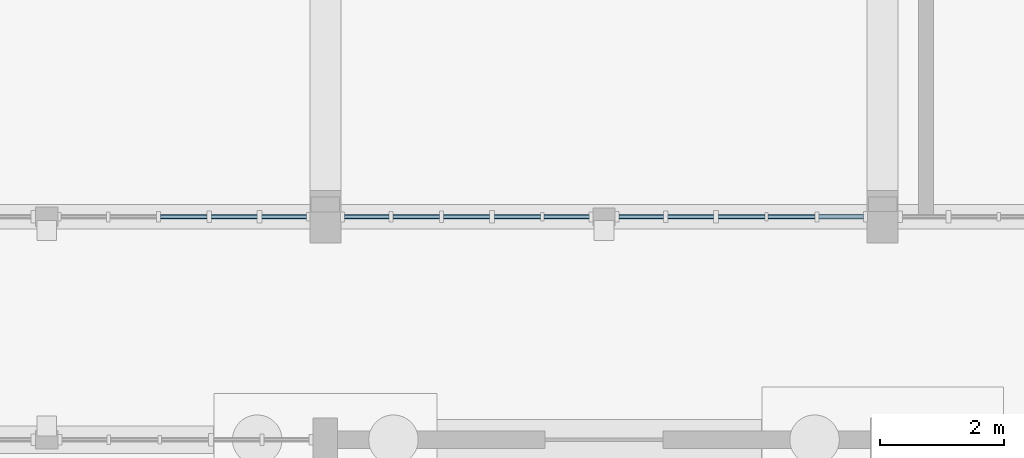
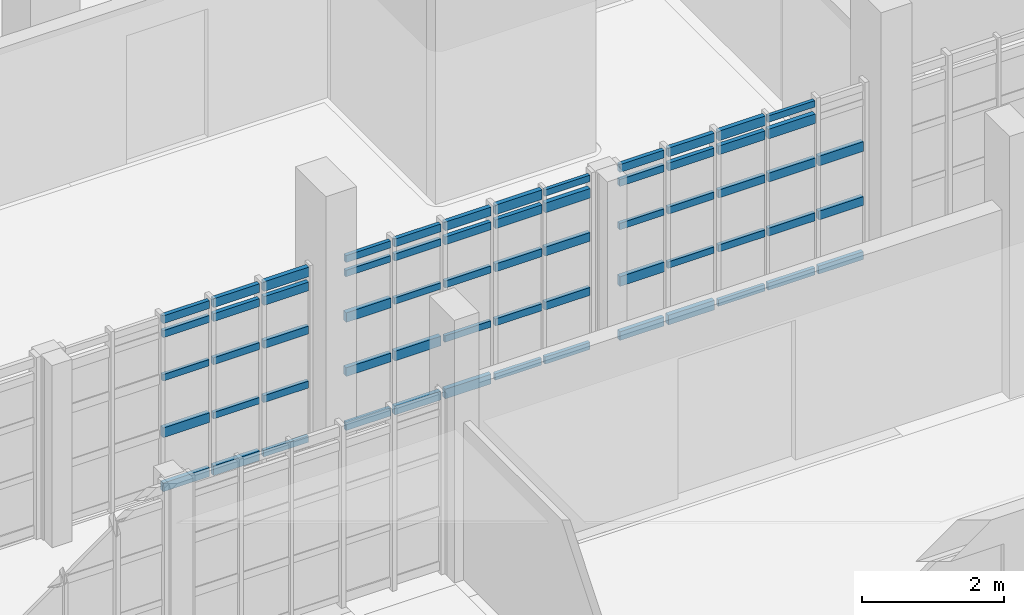
# One storey, part 23 of 63: 63 members, 3 elements without a shape of their own.
"""IFC4 building model written with IfcOpenShell, lengths in metres."""

from ifc_helpers import new_model, si_unit, direction, frame, origin, origin_2d, place, context, subcontext, project, spatial, rectangle, extrude, material, material_profile, profile_set, type_object, element, aggregate, save


model = new_model("IFC4")

# Units and contexts
model_context = context("Model", 3, precision=1e-05, world=origin(), true_north=direction((0.0, 1.0)))
body_context = subcontext(model_context, "Body", "Model", "MODEL_VIEW")
ifc_project = project(units=[si_unit("LENGTHUNIT", "METRE"), si_unit("AREAUNIT", "SQUARE_METRE"), si_unit("VOLUMEUNIT", "CUBIC_METRE"), si_unit("PLANEANGLEUNIT", "RADIAN"), si_unit("MASSUNIT", "GRAM", prefix="KILO")], contexts=[model_context])

# Site, building, storey
site_placement = place(None, origin())
site = spatial("IfcSite", under=ifc_project, at=site_placement, CompositionType="ELEMENT")
building_placement = place(site_placement, origin())
building = spatial("IfcBuilding", under=site, at=building_placement, Name="Serraforn Aerial Cableway Station", CompositionType="ELEMENT")
storey_placement = place(building_placement, origin())
storey = spatial("IfcBuildingStorey", under=building, at=storey_placement, Name="L00", CompositionType="ELEMENT", Elevation=0.0)

# Curtain wall, members
ifc_material_1 = material(Name="Anodised bronze unitised curtain wall")
curtain_wall_type_1 = type_object("IfcCurtainWallType", Name="CW-SYS-4", PredefinedType="USERDEFINED", material=ifc_material_1)
curtain_wall_1_placement = place(storey_placement, origin())
curtain_wall_1 = element("IfcCurtainWall", 1, at=curtain_wall_1_placement, inside=storey, type_object=curtain_wall_type_1, Name="Unitised Curtain Wall CW-CV-L00-S3B", ObjectType="UNITISED CURTAIN WALL", PredefinedType="USERDEFINED")
ifc_material_2 = material(Name="Anodised bronze extruded aluminium", Category="aluminium")
ifc_material_profile_1 = material_profile(ifc_material_2, rectangle(XDim=0.054931640625, YDim=0.110107421875, at=origin_2d()), Name="CW TRANSOM 55x110")
ifc_profile_set_1 = profile_set([ifc_material_profile_1], Name="Anodised bronze extruded aluminium")
member_type_1 = type_object("IfcMemberType", Name="CW-TRN-1", PredefinedType="USERDEFINED", material=ifc_profile_set_1)
member_1_placement = place(storey_placement, frame((51.939208984375, 18.0, 1.996826171875), z_axis=(1.0, 0.0, 0.0), x_axis=(0.0, 1.0, 0.0)))
member_1 = element("IfcMember", 2, at=member_1_placement, type_object=member_type_1, Name="Curtain Wall Transom CW-CV-L00-S3B-T3-3", ObjectType="TRANSOM", PredefinedType="USERDEFINED", context=body_context, shape_type="SweptSolid", body=[
    extrude(rectangle(XDim=0.054931640625, YDim=0.110107421875, at=origin_2d()), origin(), (0.0, 0.0, 1.0), 0.7509765625),
])
member_2_placement = place(storey_placement, frame((52.756103515625, 18.0, 1.060791015625), z_axis=(1.0, 0.0, 0.0), x_axis=(0.0, 1.0, 0.0)))
member_2 = element("IfcMember", 3, at=member_2_placement, type_object=member_type_1, Name="Curtain Wall Transom CW-CV-L00-S3B-T4-2", ObjectType="TRANSOM", PredefinedType="USERDEFINED", context=body_context, shape_type="SweptSolid", body=[
    extrude(rectangle(XDim=0.054931640625, YDim=0.110107421875, at=origin_2d()), origin(), (0.0, 0.0, 1.0), 0.74609375),
])
member_3_placement = place(storey_placement, frame((53.572998046875, 18.0, 0.124755859375), z_axis=(1.0, 0.0, 0.0), x_axis=(0.0, 1.0, 0.0)))
member_3 = element("IfcMember", 4, at=member_3_placement, type_object=member_type_1, Name="Curtain Wall Transom CW-CV-L00-S3B-T5-1", ObjectType="TRANSOM", PredefinedType="USERDEFINED", context=body_context, shape_type="SweptSolid", body=[
    extrude(rectangle(XDim=0.054931640625, YDim=0.110107421875, at=origin_2d()), origin(), (0.0, 0.0, 1.0), 0.72607421875),
])

curtain_wall_type_2 = type_object("IfcCurtainWallType", Name="CW-SYS-5", PredefinedType="USERDEFINED", material=ifc_material_1)
curtain_wall_2_placement = place(storey_placement, origin())
curtain_wall_2 = element("IfcCurtainWall", 5, at=curtain_wall_2_placement, inside=storey, type_object=curtain_wall_type_2, Name="Unitised Curtain Wall CW-CV-L00-S4A", ObjectType="UNITISED CURTAIN WALL", PredefinedType="USERDEFINED")
member_4_placement = place(storey_placement, frame((54.906005859375, 18.0, 2.74560546875), z_axis=(1.0, 0.0, 0.0), x_axis=(0.0, 1.0, 0.0)))
member_4 = element("IfcMember", 6, at=member_4_placement, type_object=member_type_1, Name="Curtain Wall Transom CW-CV-L00-S4A-T1-4", ObjectType="TRANSOM", PredefinedType="USERDEFINED", context=body_context, shape_type="SweptSolid", body=[
    extrude(rectangle(XDim=0.054931640625, YDim=0.110107421875, at=origin_2d()), origin(), (0.0, 0.0, 1.0), 0.725830078125),
])
member_5_placement = place(storey_placement, frame((55.69287109375, 18.0, 1.996826171875), z_axis=(1.0, 0.0, 0.0), x_axis=(0.0, 1.0, 0.0)))
member_5 = element("IfcMember", 7, at=member_5_placement, type_object=member_type_1, Name="Curtain Wall Transom CW-CV-L00-S4A-T2-3", ObjectType="TRANSOM", PredefinedType="USERDEFINED", context=body_context, shape_type="SweptSolid", body=[
    extrude(rectangle(XDim=0.054931640625, YDim=0.110107421875, at=origin_2d()), origin(), (0.0, 0.0, 1.0), 0.7509765625),
])
member_6_placement = place(storey_placement, frame((56.509765625, 18.0, 1.060791015625), z_axis=(1.0, 0.0, 0.0), x_axis=(0.0, 1.0, 0.0)))
member_6 = element("IfcMember", 8, at=member_6_placement, type_object=member_type_1, Name="Curtain Wall Transom CW-CV-L00-S4A-T3-2", ObjectType="TRANSOM", PredefinedType="USERDEFINED", context=body_context, shape_type="SweptSolid", body=[
    extrude(rectangle(XDim=0.054931640625, YDim=0.110107421875, at=origin_2d()), origin(), (0.0, 0.0, 1.0), 0.745849609375),
])
member_7_placement = place(storey_placement, frame((57.32666015625, 18.0, 0.124755859375), z_axis=(1.0, 0.0, 0.0), x_axis=(0.0, 1.0, 0.0)))
member_7 = element("IfcMember", 9, at=member_7_placement, type_object=member_type_1, Name="Curtain Wall Transom CW-CV-L00-S4A-T4-1", ObjectType="TRANSOM", PredefinedType="USERDEFINED", context=body_context, shape_type="SweptSolid", body=[
    extrude(rectangle(XDim=0.054931640625, YDim=0.110107421875, at=origin_2d()), origin(), (0.0, 0.0, 1.0), 0.75341796875),
])
member_8_placement = place(storey_placement, frame((58.131103515625, 18.0, 2.9951171875), z_axis=(1.0, 0.0, 0.0), x_axis=(0.0, 1.0, 0.0)))
member_8 = element("IfcMember", 10, at=member_8_placement, type_object=member_type_1, Name="Curtain Wall Transom CW-CV-L00-S4A-T5-5", ObjectType="TRANSOM", PredefinedType="USERDEFINED", context=body_context, shape_type="SweptSolid", body=[
    extrude(rectangle(XDim=0.054931640625, YDim=0.110107421875, at=origin_2d()), origin(), (0.0, 0.0, 1.0), 0.73095703125),
])

curtain_wall_type_3 = type_object("IfcCurtainWallType", Name="CW-SYS-6", PredefinedType="USERDEFINED", material=ifc_material_1)
curtain_wall_3_placement = place(storey_placement, origin())
curtain_wall_3 = element("IfcCurtainWall", 11, at=curtain_wall_3_placement, inside=storey, type_object=curtain_wall_type_3, Name="Unitised Curtain Wall CW-CV-L00-S4B", ObjectType="UNITISED CURTAIN WALL", PredefinedType="USERDEFINED")
member_9_placement = place(storey_placement, frame((59.343017578125, 18.0, 1.996826171875), z_axis=(1.0, 0.0, 0.0), x_axis=(0.0, 1.0, 0.0)))
member_9 = element("IfcMember", 12, at=member_9_placement, type_object=member_type_1, Name="Curtain Wall Transom CW-CV-L00-S4B-T1-3", ObjectType="TRANSOM", PredefinedType="USERDEFINED", context=body_context, shape_type="SweptSolid", body=[
    extrude(rectangle(XDim=0.054931640625, YDim=0.110107421875, at=origin_2d()), origin(), (0.0, 0.0, 1.0), 0.71826171875),
])
member_10_placement = place(storey_placement, frame((60.12744140625, 18.0, 1.060791015625), z_axis=(1.0, 0.0, 0.0), x_axis=(0.0, 1.0, 0.0)))
member_10 = element("IfcMember", 13, at=member_10_placement, type_object=member_type_1, Name="Curtain Wall Transom CW-CV-L00-S4B-T2-2", ObjectType="TRANSOM", PredefinedType="USERDEFINED", context=body_context, shape_type="SweptSolid", body=[
    extrude(rectangle(XDim=0.054931640625, YDim=0.110107421875, at=origin_2d()), origin(), (0.0, 0.0, 1.0), 0.745849609375),
])
member_11_placement = place(storey_placement, frame((60.9443359375, 18.0, 0.124755859375), z_axis=(1.0, 0.0, 0.0), x_axis=(0.0, 1.0, 0.0)))
member_11 = element("IfcMember", 14, at=member_11_placement, type_object=member_type_1, Name="Curtain Wall Transom CW-CV-L00-S4B-T3-1", ObjectType="TRANSOM", PredefinedType="USERDEFINED", context=body_context, shape_type="SweptSolid", body=[
    extrude(rectangle(XDim=0.054931640625, YDim=0.110107421875, at=origin_2d()), origin(), (0.0, 0.0, 1.0), 0.75341796875),
])
member_12_placement = place(storey_placement, frame((61.748779296875, 18.0, 2.9951171875), z_axis=(1.0, 0.0, 0.0), x_axis=(0.0, 1.0, 0.0)))
member_12 = element("IfcMember", 15, at=member_12_placement, type_object=member_type_1, Name="Curtain Wall Transom CW-CV-L00-S4B-T4-5", ObjectType="TRANSOM", PredefinedType="USERDEFINED", context=body_context, shape_type="SweptSolid", body=[
    extrude(rectangle(XDim=0.054931640625, YDim=0.110107421875, at=origin_2d()), origin(), (0.0, 0.0, 1.0), 0.7607421875),
])

# Member
ifc_material_profile_2 = material_profile(ifc_material_2, rectangle(XDim=0.06005859375, YDim=0.1201171875, at=origin_2d()), Name="CW TRANSOM 60x120")
ifc_profile_set_2 = profile_set([ifc_material_profile_2], Name="Anodised bronze extruded aluminium")
member_type_2 = type_object("IfcMemberType", Name="CW-TRN-2", PredefinedType="USERDEFINED", material=ifc_profile_set_2)
member_13_placement = place(storey_placement, frame((51.939208984375, 18.0, 2.74560546875), z_axis=(1.0, 0.0, 0.0), x_axis=(0.0, 1.0, 0.0)))
member_13 = element("IfcMember", 16, at=member_13_placement, type_object=member_type_2, Name="Curtain Wall Transom CW-CV-L00-S3B-T3-4", ObjectType="TRANSOM", PredefinedType="USERDEFINED", context=body_context, shape_type="SweptSolid", body=[
    extrude(rectangle(XDim=0.06005859375, YDim=0.1201171875, at=origin_2d()), origin(), (0.0, 0.0, 1.0), 0.7509765625),
])

member_14_placement = place(storey_placement, frame((52.756103515625, 18.0, 1.996826171875), z_axis=(1.0, 0.0, 0.0), x_axis=(0.0, 1.0, 0.0)))
member_14 = element("IfcMember", 17, at=member_14_placement, type_object=member_type_2, Name="Curtain Wall Transom CW-CV-L00-S3B-T4-3", ObjectType="TRANSOM", PredefinedType="USERDEFINED", context=body_context, shape_type="SweptSolid", body=[
    extrude(rectangle(XDim=0.06005859375, YDim=0.1201171875, at=origin_2d()), origin(), (0.0, 0.0, 1.0), 0.74609375),
])

member_15_placement = place(storey_placement, frame((53.572998046875, 18.0, 1.060791015625), z_axis=(1.0, 0.0, 0.0), x_axis=(0.0, 1.0, 0.0)))
member_15 = element("IfcMember", 18, at=member_15_placement, type_object=member_type_2, Name="Curtain Wall Transom CW-CV-L00-S3B-T5-2", ObjectType="TRANSOM", PredefinedType="USERDEFINED", context=body_context, shape_type="SweptSolid", body=[
    extrude(rectangle(XDim=0.06005859375, YDim=0.1201171875, at=origin_2d()), origin(), (0.0, 0.0, 1.0), 0.72607421875),
])

member_16_placement = place(storey_placement, frame((54.906005859375, 18.0, 2.9951171875), z_axis=(1.0, 0.0, 0.0), x_axis=(0.0, 1.0, 0.0)))
member_16 = element("IfcMember", 19, at=member_16_placement, type_object=member_type_2, Name="Curtain Wall Transom CW-CV-L00-S4A-T1-5", ObjectType="TRANSOM", PredefinedType="USERDEFINED", context=body_context, shape_type="SweptSolid", body=[
    extrude(rectangle(XDim=0.06005859375, YDim=0.1201171875, at=origin_2d()), origin(), (0.0, 0.0, 1.0), 0.725830078125),
])

member_17_placement = place(storey_placement, frame((55.69287109375, 18.0, 2.74560546875), z_axis=(1.0, 0.0, 0.0), x_axis=(0.0, 1.0, 0.0)))
member_17 = element("IfcMember", 20, at=member_17_placement, type_object=member_type_2, Name="Curtain Wall Transom CW-CV-L00-S4A-T2-4", ObjectType="TRANSOM", PredefinedType="USERDEFINED", context=body_context, shape_type="SweptSolid", body=[
    extrude(rectangle(XDim=0.06005859375, YDim=0.1201171875, at=origin_2d()), origin(), (0.0, 0.0, 1.0), 0.7509765625),
])

member_18_placement = place(storey_placement, frame((56.509765625, 18.0, 1.996826171875), z_axis=(1.0, 0.0, 0.0), x_axis=(0.0, 1.0, 0.0)))
member_18 = element("IfcMember", 21, at=member_18_placement, type_object=member_type_2, Name="Curtain Wall Transom CW-CV-L00-S4A-T3-3", ObjectType="TRANSOM", PredefinedType="USERDEFINED", context=body_context, shape_type="SweptSolid", body=[
    extrude(rectangle(XDim=0.06005859375, YDim=0.1201171875, at=origin_2d()), origin(), (0.0, 0.0, 1.0), 0.745849609375),
])

member_19_placement = place(storey_placement, frame((57.32666015625, 18.0, 1.060791015625), z_axis=(1.0, 0.0, 0.0), x_axis=(0.0, 1.0, 0.0)))
member_19 = element("IfcMember", 22, at=member_19_placement, type_object=member_type_2, Name="Curtain Wall Transom CW-CV-L00-S4A-T4-2", ObjectType="TRANSOM", PredefinedType="USERDEFINED", context=body_context, shape_type="SweptSolid", body=[
    extrude(rectangle(XDim=0.06005859375, YDim=0.1201171875, at=origin_2d()), origin(), (0.0, 0.0, 1.0), 0.75341796875),
])

member_20_placement = place(storey_placement, frame((58.131103515625, 18.0, 0.124755859375), z_axis=(1.0, 0.0, 0.0), x_axis=(0.0, 1.0, 0.0)))
member_20 = element("IfcMember", 23, at=member_20_placement, type_object=member_type_2, Name="Curtain Wall Transom CW-CV-L00-S4A-T5-1", ObjectType="TRANSOM", PredefinedType="USERDEFINED", context=body_context, shape_type="SweptSolid", body=[
    extrude(rectangle(XDim=0.06005859375, YDim=0.1201171875, at=origin_2d()), origin(), (0.0, 0.0, 1.0), 0.73095703125),
])

member_21_placement = place(storey_placement, frame((59.343017578125, 18.0, 2.74560546875), z_axis=(1.0, 0.0, 0.0), x_axis=(0.0, 1.0, 0.0)))
member_21 = element("IfcMember", 24, at=member_21_placement, type_object=member_type_2, Name="Curtain Wall Transom CW-CV-L00-S4B-T1-4", ObjectType="TRANSOM", PredefinedType="USERDEFINED", context=body_context, shape_type="SweptSolid", body=[
    extrude(rectangle(XDim=0.06005859375, YDim=0.1201171875, at=origin_2d()), origin(), (0.0, 0.0, 1.0), 0.71826171875),
])

member_22_placement = place(storey_placement, frame((60.12744140625, 18.0, 1.996826171875), z_axis=(1.0, 0.0, 0.0), x_axis=(0.0, 1.0, 0.0)))
member_22 = element("IfcMember", 25, at=member_22_placement, type_object=member_type_2, Name="Curtain Wall Transom CW-CV-L00-S4B-T2-3", ObjectType="TRANSOM", PredefinedType="USERDEFINED", context=body_context, shape_type="SweptSolid", body=[
    extrude(rectangle(XDim=0.06005859375, YDim=0.1201171875, at=origin_2d()), origin(), (0.0, 0.0, 1.0), 0.745849609375),
])

member_23_placement = place(storey_placement, frame((60.9443359375, 18.0, 1.060791015625), z_axis=(1.0, 0.0, 0.0), x_axis=(0.0, 1.0, 0.0)))
member_23 = element("IfcMember", 26, at=member_23_placement, type_object=member_type_2, Name="Curtain Wall Transom CW-CV-L00-S4B-T3-2", ObjectType="TRANSOM", PredefinedType="USERDEFINED", context=body_context, shape_type="SweptSolid", body=[
    extrude(rectangle(XDim=0.06005859375, YDim=0.1201171875, at=origin_2d()), origin(), (0.0, 0.0, 1.0), 0.75341796875),
])

member_24_placement = place(storey_placement, frame((61.748779296875, 18.0, 0.124755859375), z_axis=(1.0, 0.0, 0.0), x_axis=(0.0, 1.0, 0.0)))
member_24 = element("IfcMember", 27, at=member_24_placement, type_object=member_type_2, Name="Curtain Wall Transom CW-CV-L00-S4B-T4-1", ObjectType="TRANSOM", PredefinedType="USERDEFINED", context=body_context, shape_type="SweptSolid", body=[
    extrude(rectangle(XDim=0.06005859375, YDim=0.1201171875, at=origin_2d()), origin(), (0.0, 0.0, 1.0), 0.7607421875),
])

ifc_material_profile_3 = material_profile(ifc_material_2, rectangle(XDim=0.06494140625, YDim=0.135009765625, at=origin_2d()), Name="CW TRANSOM 65x135")
ifc_profile_set_3 = profile_set([ifc_material_profile_3], Name="Anodised bronze extruded aluminium")
member_type_3 = type_object("IfcMemberType", Name="CW-TRN-3", PredefinedType="USERDEFINED", material=ifc_profile_set_3)
member_25_placement = place(storey_placement, frame((51.939208984375, 18.0, 2.9951171875), z_axis=(1.0, 0.0, 0.0), x_axis=(0.0, 1.0, 0.0)))
member_25 = element("IfcMember", 28, at=member_25_placement, type_object=member_type_3, Name="Curtain Wall Transom CW-CV-L00-S3B-T3-5", ObjectType="TRANSOM", PredefinedType="USERDEFINED", context=body_context, shape_type="SweptSolid", body=[
    extrude(rectangle(XDim=0.06494140625, YDim=0.135009765625, at=origin_2d()), origin(), (0.0, 0.0, 1.0), 0.7509765625),
])

member_26_placement = place(storey_placement, frame((52.756103515625, 18.0, 2.74560546875), z_axis=(1.0, 0.0, 0.0), x_axis=(0.0, 1.0, 0.0)))
member_26 = element("IfcMember", 29, at=member_26_placement, type_object=member_type_3, Name="Curtain Wall Transom CW-CV-L00-S3B-T4-4", ObjectType="TRANSOM", PredefinedType="USERDEFINED", context=body_context, shape_type="SweptSolid", body=[
    extrude(rectangle(XDim=0.06494140625, YDim=0.135009765625, at=origin_2d()), origin(), (0.0, 0.0, 1.0), 0.74609375),
])

member_27_placement = place(storey_placement, frame((53.572998046875, 18.0, 1.996826171875), z_axis=(1.0, 0.0, 0.0), x_axis=(0.0, 1.0, 0.0)))
member_27 = element("IfcMember", 30, at=member_27_placement, type_object=member_type_3, Name="Curtain Wall Transom CW-CV-L00-S3B-T5-3", ObjectType="TRANSOM", PredefinedType="USERDEFINED", context=body_context, shape_type="SweptSolid", body=[
    extrude(rectangle(XDim=0.06494140625, YDim=0.135009765625, at=origin_2d()), origin(), (0.0, 0.0, 1.0), 0.72607421875),
])

member_28_placement = place(storey_placement, frame((54.906005859375, 18.0, 0.124755859375), z_axis=(1.0, 0.0, 0.0), x_axis=(0.0, 1.0, 0.0)))
member_28 = element("IfcMember", 31, at=member_28_placement, type_object=member_type_3, Name="Curtain Wall Transom CW-CV-L00-S4A-T1-1", ObjectType="TRANSOM", PredefinedType="USERDEFINED", context=body_context, shape_type="SweptSolid", body=[
    extrude(rectangle(XDim=0.06494140625, YDim=0.135009765625, at=origin_2d()), origin(), (0.0, 0.0, 1.0), 0.725830078125),
])

member_29_placement = place(storey_placement, frame((55.69287109375, 18.0, 2.9951171875), z_axis=(1.0, 0.0, 0.0), x_axis=(0.0, 1.0, 0.0)))
member_29 = element("IfcMember", 32, at=member_29_placement, type_object=member_type_3, Name="Curtain Wall Transom CW-CV-L00-S4A-T2-5", ObjectType="TRANSOM", PredefinedType="USERDEFINED", context=body_context, shape_type="SweptSolid", body=[
    extrude(rectangle(XDim=0.06494140625, YDim=0.135009765625, at=origin_2d()), origin(), (0.0, 0.0, 1.0), 0.7509765625),
])

member_30_placement = place(storey_placement, frame((56.509765625, 18.0, 2.74560546875), z_axis=(1.0, 0.0, 0.0), x_axis=(0.0, 1.0, 0.0)))
member_30 = element("IfcMember", 33, at=member_30_placement, type_object=member_type_3, Name="Curtain Wall Transom CW-CV-L00-S4A-T3-4", ObjectType="TRANSOM", PredefinedType="USERDEFINED", context=body_context, shape_type="SweptSolid", body=[
    extrude(rectangle(XDim=0.06494140625, YDim=0.135009765625, at=origin_2d()), origin(), (0.0, 0.0, 1.0), 0.745849609375),
])

member_31_placement = place(storey_placement, frame((57.32666015625, 18.0, 1.996826171875), z_axis=(1.0, 0.0, 0.0), x_axis=(0.0, 1.0, 0.0)))
member_31 = element("IfcMember", 34, at=member_31_placement, type_object=member_type_3, Name="Curtain Wall Transom CW-CV-L00-S4A-T4-3", ObjectType="TRANSOM", PredefinedType="USERDEFINED", context=body_context, shape_type="SweptSolid", body=[
    extrude(rectangle(XDim=0.06494140625, YDim=0.135009765625, at=origin_2d()), origin(), (0.0, 0.0, 1.0), 0.75341796875),
])

member_32_placement = place(storey_placement, frame((58.131103515625, 18.0, 1.060791015625), z_axis=(1.0, 0.0, 0.0), x_axis=(0.0, 1.0, 0.0)))
member_32 = element("IfcMember", 35, at=member_32_placement, type_object=member_type_3, Name="Curtain Wall Transom CW-CV-L00-S4A-T5-2", ObjectType="TRANSOM", PredefinedType="USERDEFINED", context=body_context, shape_type="SweptSolid", body=[
    extrude(rectangle(XDim=0.06494140625, YDim=0.135009765625, at=origin_2d()), origin(), (0.0, 0.0, 1.0), 0.73095703125),
])

member_33_placement = place(storey_placement, frame((59.343017578125, 18.0, 2.9951171875), z_axis=(1.0, 0.0, 0.0), x_axis=(0.0, 1.0, 0.0)))
member_33 = element("IfcMember", 36, at=member_33_placement, type_object=member_type_3, Name="Curtain Wall Transom CW-CV-L00-S4B-T1-5", ObjectType="TRANSOM", PredefinedType="USERDEFINED", context=body_context, shape_type="SweptSolid", body=[
    extrude(rectangle(XDim=0.06494140625, YDim=0.135009765625, at=origin_2d()), origin(), (0.0, 0.0, 1.0), 0.71826171875),
])

member_34_placement = place(storey_placement, frame((60.12744140625, 18.0, 2.74560546875), z_axis=(1.0, 0.0, 0.0), x_axis=(0.0, 1.0, 0.0)))
member_34 = element("IfcMember", 37, at=member_34_placement, type_object=member_type_3, Name="Curtain Wall Transom CW-CV-L00-S4B-T2-4", ObjectType="TRANSOM", PredefinedType="USERDEFINED", context=body_context, shape_type="SweptSolid", body=[
    extrude(rectangle(XDim=0.06494140625, YDim=0.135009765625, at=origin_2d()), origin(), (0.0, 0.0, 1.0), 0.745849609375),
])

member_35_placement = place(storey_placement, frame((60.9443359375, 18.0, 1.996826171875), z_axis=(1.0, 0.0, 0.0), x_axis=(0.0, 1.0, 0.0)))
member_35 = element("IfcMember", 38, at=member_35_placement, type_object=member_type_3, Name="Curtain Wall Transom CW-CV-L00-S4B-T3-3", ObjectType="TRANSOM", PredefinedType="USERDEFINED", context=body_context, shape_type="SweptSolid", body=[
    extrude(rectangle(XDim=0.06494140625, YDim=0.135009765625, at=origin_2d()), origin(), (0.0, 0.0, 1.0), 0.75341796875),
])

member_36_placement = place(storey_placement, frame((61.748779296875, 18.0, 1.060791015625), z_axis=(1.0, 0.0, 0.0), x_axis=(0.0, 1.0, 0.0)))
member_36 = element("IfcMember", 39, at=member_36_placement, type_object=member_type_3, Name="Curtain Wall Transom CW-CV-L00-S4B-T4-2", ObjectType="TRANSOM", PredefinedType="USERDEFINED", context=body_context, shape_type="SweptSolid", body=[
    extrude(rectangle(XDim=0.06494140625, YDim=0.135009765625, at=origin_2d()), origin(), (0.0, 0.0, 1.0), 0.7607421875),
])

member_37_placement = place(storey_placement, frame((62.565673828125, 18.0, 0.124755859375), z_axis=(1.0, 0.0, 0.0), x_axis=(0.0, 1.0, 0.0)))
member_37 = element("IfcMember", 40, at=member_37_placement, type_object=member_type_3, Name="Curtain Wall Transom CW-CV-L00-S4B-T5-1", ObjectType="TRANSOM", PredefinedType="USERDEFINED", context=body_context, shape_type="SweptSolid", body=[
    extrude(rectangle(XDim=0.06494140625, YDim=0.135009765625, at=origin_2d()), origin(), (0.0, 0.0, 1.0), 0.723388671875),
])

ifc_material_profile_4 = material_profile(ifc_material_2, rectangle(XDim=0.070068359375, YDim=0.14990234375, at=origin_2d()), Name="CW TRANSOM 70x150")
ifc_profile_set_4 = profile_set([ifc_material_profile_4], Name="Anodised bronze extruded aluminium")
member_type_4 = type_object("IfcMemberType", Name="CW-TRN-4", PredefinedType="USERDEFINED", material=ifc_profile_set_4)
member_38_placement = place(storey_placement, frame((51.939208984375, 18.0, 0.124755859375), z_axis=(1.0, 0.0, 0.0), x_axis=(0.0, 1.0, 0.0)))
member_38 = element("IfcMember", 41, at=member_38_placement, type_object=member_type_4, Name="Curtain Wall Transom CW-CV-L00-S3B-T3-1", ObjectType="TRANSOM", PredefinedType="USERDEFINED", context=body_context, shape_type="SweptSolid", body=[
    extrude(rectangle(XDim=0.070068359375, YDim=0.14990234375, at=origin_2d()), origin(), (0.0, 0.0, 1.0), 0.7509765625),
])

member_39_placement = place(storey_placement, frame((52.756103515625, 18.0, 2.9951171875), z_axis=(1.0, 0.0, 0.0), x_axis=(0.0, 1.0, 0.0)))
member_39 = element("IfcMember", 42, at=member_39_placement, type_object=member_type_4, Name="Curtain Wall Transom CW-CV-L00-S3B-T4-5", ObjectType="TRANSOM", PredefinedType="USERDEFINED", context=body_context, shape_type="SweptSolid", body=[
    extrude(rectangle(XDim=0.070068359375, YDim=0.14990234375, at=origin_2d()), origin(), (0.0, 0.0, 1.0), 0.74609375),
])

member_40_placement = place(storey_placement, frame((53.572998046875, 18.0, 2.74560546875), z_axis=(1.0, 0.0, 0.0), x_axis=(0.0, 1.0, 0.0)))
member_40 = element("IfcMember", 43, at=member_40_placement, type_object=member_type_4, Name="Curtain Wall Transom CW-CV-L00-S3B-T5-4", ObjectType="TRANSOM", PredefinedType="USERDEFINED", context=body_context, shape_type="SweptSolid", body=[
    extrude(rectangle(XDim=0.070068359375, YDim=0.14990234375, at=origin_2d()), origin(), (0.0, 0.0, 1.0), 0.72607421875),
])

member_41_placement = place(storey_placement, frame((54.906005859375, 18.0, 1.060791015625), z_axis=(1.0, 0.0, 0.0), x_axis=(0.0, 1.0, 0.0)))
member_41 = element("IfcMember", 44, at=member_41_placement, type_object=member_type_4, Name="Curtain Wall Transom CW-CV-L00-S4A-T1-2", ObjectType="TRANSOM", PredefinedType="USERDEFINED", context=body_context, shape_type="SweptSolid", body=[
    extrude(rectangle(XDim=0.070068359375, YDim=0.14990234375, at=origin_2d()), origin(), (0.0, 0.0, 1.0), 0.725830078125),
])

member_42_placement = place(storey_placement, frame((55.69287109375, 18.0, 0.124755859375), z_axis=(1.0, 0.0, 0.0), x_axis=(0.0, 1.0, 0.0)))
member_42 = element("IfcMember", 45, at=member_42_placement, type_object=member_type_4, Name="Curtain Wall Transom CW-CV-L00-S4A-T2-1", ObjectType="TRANSOM", PredefinedType="USERDEFINED", context=body_context, shape_type="SweptSolid", body=[
    extrude(rectangle(XDim=0.070068359375, YDim=0.14990234375, at=origin_2d()), origin(), (0.0, 0.0, 1.0), 0.7509765625),
])

member_43_placement = place(storey_placement, frame((56.509765625, 18.0, 2.9951171875), z_axis=(1.0, 0.0, 0.0), x_axis=(0.0, 1.0, 0.0)))
member_43 = element("IfcMember", 46, at=member_43_placement, type_object=member_type_4, Name="Curtain Wall Transom CW-CV-L00-S4A-T3-5", ObjectType="TRANSOM", PredefinedType="USERDEFINED", context=body_context, shape_type="SweptSolid", body=[
    extrude(rectangle(XDim=0.070068359375, YDim=0.14990234375, at=origin_2d()), origin(), (0.0, 0.0, 1.0), 0.745849609375),
])

member_44_placement = place(storey_placement, frame((57.32666015625, 18.0, 2.74560546875), z_axis=(1.0, 0.0, 0.0), x_axis=(0.0, 1.0, 0.0)))
member_44 = element("IfcMember", 47, at=member_44_placement, type_object=member_type_4, Name="Curtain Wall Transom CW-CV-L00-S4A-T4-4", ObjectType="TRANSOM", PredefinedType="USERDEFINED", context=body_context, shape_type="SweptSolid", body=[
    extrude(rectangle(XDim=0.070068359375, YDim=0.14990234375, at=origin_2d()), origin(), (0.0, 0.0, 1.0), 0.75341796875),
])

member_45_placement = place(storey_placement, frame((58.131103515625, 18.0, 1.996826171875), z_axis=(1.0, 0.0, 0.0), x_axis=(0.0, 1.0, 0.0)))
member_45 = element("IfcMember", 48, at=member_45_placement, type_object=member_type_4, Name="Curtain Wall Transom CW-CV-L00-S4A-T5-3", ObjectType="TRANSOM", PredefinedType="USERDEFINED", context=body_context, shape_type="SweptSolid", body=[
    extrude(rectangle(XDim=0.070068359375, YDim=0.14990234375, at=origin_2d()), origin(), (0.0, 0.0, 1.0), 0.73095703125),
])

member_46_placement = place(storey_placement, frame((59.343017578125, 18.0, 0.124755859375), z_axis=(1.0, 0.0, 0.0), x_axis=(0.0, 1.0, 0.0)))
member_46 = element("IfcMember", 49, at=member_46_placement, type_object=member_type_4, Name="Curtain Wall Transom CW-CV-L00-S4B-T1-1", ObjectType="TRANSOM", PredefinedType="USERDEFINED", context=body_context, shape_type="SweptSolid", body=[
    extrude(rectangle(XDim=0.070068359375, YDim=0.14990234375, at=origin_2d()), origin(), (0.0, 0.0, 1.0), 0.71826171875),
])

member_47_placement = place(storey_placement, frame((60.12744140625, 18.0, 2.9951171875), z_axis=(1.0, 0.0, 0.0), x_axis=(0.0, 1.0, 0.0)))
member_47 = element("IfcMember", 50, at=member_47_placement, type_object=member_type_4, Name="Curtain Wall Transom CW-CV-L00-S4B-T2-5", ObjectType="TRANSOM", PredefinedType="USERDEFINED", context=body_context, shape_type="SweptSolid", body=[
    extrude(rectangle(XDim=0.070068359375, YDim=0.14990234375, at=origin_2d()), origin(), (0.0, 0.0, 1.0), 0.745849609375),
])

member_48_placement = place(storey_placement, frame((60.9443359375, 18.0, 2.74560546875), z_axis=(1.0, 0.0, 0.0), x_axis=(0.0, 1.0, 0.0)))
member_48 = element("IfcMember", 51, at=member_48_placement, type_object=member_type_4, Name="Curtain Wall Transom CW-CV-L00-S4B-T3-4", ObjectType="TRANSOM", PredefinedType="USERDEFINED", context=body_context, shape_type="SweptSolid", body=[
    extrude(rectangle(XDim=0.070068359375, YDim=0.14990234375, at=origin_2d()), origin(), (0.0, 0.0, 1.0), 0.75341796875),
])

member_49_placement = place(storey_placement, frame((61.748779296875, 18.0, 1.996826171875), z_axis=(1.0, 0.0, 0.0), x_axis=(0.0, 1.0, 0.0)))
member_49 = element("IfcMember", 52, at=member_49_placement, type_object=member_type_4, Name="Curtain Wall Transom CW-CV-L00-S4B-T4-3", ObjectType="TRANSOM", PredefinedType="USERDEFINED", context=body_context, shape_type="SweptSolid", body=[
    extrude(rectangle(XDim=0.070068359375, YDim=0.14990234375, at=origin_2d()), origin(), (0.0, 0.0, 1.0), 0.7607421875),
])

member_50_placement = place(storey_placement, frame((62.565673828125, 18.0, 1.060791015625), z_axis=(1.0, 0.0, 0.0), x_axis=(0.0, 1.0, 0.0)))
member_50 = element("IfcMember", 53, at=member_50_placement, type_object=member_type_4, Name="Curtain Wall Transom CW-CV-L00-S4B-T5-2", ObjectType="TRANSOM", PredefinedType="USERDEFINED", context=body_context, shape_type="SweptSolid", body=[
    extrude(rectangle(XDim=0.070068359375, YDim=0.14990234375, at=origin_2d()), origin(), (0.0, 0.0, 1.0), 0.723388671875),
])

ifc_material_profile_5 = material_profile(ifc_material_2, rectangle(XDim=0.074951171875, YDim=0.1650390625, at=origin_2d()), Name="CW TRANSOM 75x165")
ifc_profile_set_5 = profile_set([ifc_material_profile_5], Name="Anodised bronze extruded aluminium")
member_type_5 = type_object("IfcMemberType", Name="CW-TRN-5", PredefinedType="USERDEFINED", material=ifc_profile_set_5)
member_51_placement = place(storey_placement, frame((51.939208984375, 18.0, 1.060791015625), z_axis=(1.0, 0.0, 0.0), x_axis=(0.0, 1.0, 0.0)))
member_51 = element("IfcMember", 54, at=member_51_placement, type_object=member_type_5, Name="Curtain Wall Transom CW-CV-L00-S3B-T3-2", ObjectType="TRANSOM", PredefinedType="USERDEFINED", context=body_context, shape_type="SweptSolid", body=[
    extrude(rectangle(XDim=0.074951171875, YDim=0.1650390625, at=origin_2d()), origin(), (0.0, 0.0, 1.0), 0.7509765625),
])

member_52_placement = place(storey_placement, frame((52.756103515625, 18.0, 0.124755859375), z_axis=(1.0, 0.0, 0.0), x_axis=(0.0, 1.0, 0.0)))
member_52 = element("IfcMember", 55, at=member_52_placement, type_object=member_type_5, Name="Curtain Wall Transom CW-CV-L00-S3B-T4-1", ObjectType="TRANSOM", PredefinedType="USERDEFINED", context=body_context, shape_type="SweptSolid", body=[
    extrude(rectangle(XDim=0.074951171875, YDim=0.1650390625, at=origin_2d()), origin(), (0.0, 0.0, 1.0), 0.74609375),
])

member_53_placement = place(storey_placement, frame((53.572998046875, 18.0, 2.9951171875), z_axis=(1.0, 0.0, 0.0), x_axis=(0.0, 1.0, 0.0)))
member_53 = element("IfcMember", 56, at=member_53_placement, type_object=member_type_5, Name="Curtain Wall Transom CW-CV-L00-S3B-T5-5", ObjectType="TRANSOM", PredefinedType="USERDEFINED", context=body_context, shape_type="SweptSolid", body=[
    extrude(rectangle(XDim=0.074951171875, YDim=0.1650390625, at=origin_2d()), origin(), (0.0, 0.0, 1.0), 0.72607421875),
])

aggregate(curtain_wall_1, [member_38, member_51, member_1, member_13, member_25, member_52, member_2, member_14, member_26, member_39, member_3, member_15, member_27, member_40, member_53])

member_54_placement = place(storey_placement, frame((54.906005859375, 18.0, 1.996826171875), z_axis=(1.0, 0.0, 0.0), x_axis=(0.0, 1.0, 0.0)))
member_54 = element("IfcMember", 57, at=member_54_placement, type_object=member_type_5, Name="Curtain Wall Transom CW-CV-L00-S4A-T1-3", ObjectType="TRANSOM", PredefinedType="USERDEFINED", context=body_context, shape_type="SweptSolid", body=[
    extrude(rectangle(XDim=0.074951171875, YDim=0.1650390625, at=origin_2d()), origin(), (0.0, 0.0, 1.0), 0.725830078125),
])

member_55_placement = place(storey_placement, frame((55.69287109375, 18.0, 1.060791015625), z_axis=(1.0, 0.0, 0.0), x_axis=(0.0, 1.0, 0.0)))
member_55 = element("IfcMember", 58, at=member_55_placement, type_object=member_type_5, Name="Curtain Wall Transom CW-CV-L00-S4A-T2-2", ObjectType="TRANSOM", PredefinedType="USERDEFINED", context=body_context, shape_type="SweptSolid", body=[
    extrude(rectangle(XDim=0.074951171875, YDim=0.1650390625, at=origin_2d()), origin(), (0.0, 0.0, 1.0), 0.7509765625),
])

member_56_placement = place(storey_placement, frame((56.509765625, 18.0, 0.124755859375), z_axis=(1.0, 0.0, 0.0), x_axis=(0.0, 1.0, 0.0)))
member_56 = element("IfcMember", 59, at=member_56_placement, type_object=member_type_5, Name="Curtain Wall Transom CW-CV-L00-S4A-T3-1", ObjectType="TRANSOM", PredefinedType="USERDEFINED", context=body_context, shape_type="SweptSolid", body=[
    extrude(rectangle(XDim=0.074951171875, YDim=0.1650390625, at=origin_2d()), origin(), (0.0, 0.0, 1.0), 0.745849609375),
])

member_57_placement = place(storey_placement, frame((57.32666015625, 18.0, 2.9951171875), z_axis=(1.0, 0.0, 0.0), x_axis=(0.0, 1.0, 0.0)))
member_57 = element("IfcMember", 60, at=member_57_placement, type_object=member_type_5, Name="Curtain Wall Transom CW-CV-L00-S4A-T4-5", ObjectType="TRANSOM", PredefinedType="USERDEFINED", context=body_context, shape_type="SweptSolid", body=[
    extrude(rectangle(XDim=0.074951171875, YDim=0.1650390625, at=origin_2d()), origin(), (0.0, 0.0, 1.0), 0.75341796875),
])

member_58_placement = place(storey_placement, frame((58.131103515625, 18.0, 2.74560546875), z_axis=(1.0, 0.0, 0.0), x_axis=(0.0, 1.0, 0.0)))
member_58 = element("IfcMember", 61, at=member_58_placement, type_object=member_type_5, Name="Curtain Wall Transom CW-CV-L00-S4A-T5-4", ObjectType="TRANSOM", PredefinedType="USERDEFINED", context=body_context, shape_type="SweptSolid", body=[
    extrude(rectangle(XDim=0.074951171875, YDim=0.1650390625, at=origin_2d()), origin(), (0.0, 0.0, 1.0), 0.73095703125),
])

aggregate(curtain_wall_2, [member_28, member_41, member_54, member_4, member_16, member_42, member_55, member_5, member_17, member_29, member_56, member_6, member_18, member_30, member_43, member_7, member_19, member_31, member_44, member_57, member_20, member_32, member_45, member_58, member_8])

member_59_placement = place(storey_placement, frame((59.343017578125, 18.0, 1.060791015625), z_axis=(1.0, 0.0, 0.0), x_axis=(0.0, 1.0, 0.0)))
member_59 = element("IfcMember", 62, at=member_59_placement, type_object=member_type_5, Name="Curtain Wall Transom CW-CV-L00-S4B-T1-2", ObjectType="TRANSOM", PredefinedType="USERDEFINED", context=body_context, shape_type="SweptSolid", body=[
    extrude(rectangle(XDim=0.074951171875, YDim=0.1650390625, at=origin_2d()), origin(), (0.0, 0.0, 1.0), 0.71826171875),
])

member_60_placement = place(storey_placement, frame((60.12744140625, 18.0, 0.124755859375), z_axis=(1.0, 0.0, 0.0), x_axis=(0.0, 1.0, 0.0)))
member_60 = element("IfcMember", 63, at=member_60_placement, type_object=member_type_5, Name="Curtain Wall Transom CW-CV-L00-S4B-T2-1", ObjectType="TRANSOM", PredefinedType="USERDEFINED", context=body_context, shape_type="SweptSolid", body=[
    extrude(rectangle(XDim=0.074951171875, YDim=0.1650390625, at=origin_2d()), origin(), (0.0, 0.0, 1.0), 0.745849609375),
])

member_61_placement = place(storey_placement, frame((60.9443359375, 18.0, 2.9951171875), z_axis=(1.0, 0.0, 0.0), x_axis=(0.0, 1.0, 0.0)))
member_61 = element("IfcMember", 64, at=member_61_placement, type_object=member_type_5, Name="Curtain Wall Transom CW-CV-L00-S4B-T3-5", ObjectType="TRANSOM", PredefinedType="USERDEFINED", context=body_context, shape_type="SweptSolid", body=[
    extrude(rectangle(XDim=0.074951171875, YDim=0.1650390625, at=origin_2d()), origin(), (0.0, 0.0, 1.0), 0.75341796875),
])

member_62_placement = place(storey_placement, frame((61.748779296875, 18.0, 2.74560546875), z_axis=(1.0, 0.0, 0.0), x_axis=(0.0, 1.0, 0.0)))
member_62 = element("IfcMember", 65, at=member_62_placement, type_object=member_type_5, Name="Curtain Wall Transom CW-CV-L00-S4B-T4-4", ObjectType="TRANSOM", PredefinedType="USERDEFINED", context=body_context, shape_type="SweptSolid", body=[
    extrude(rectangle(XDim=0.074951171875, YDim=0.1650390625, at=origin_2d()), origin(), (0.0, 0.0, 1.0), 0.7607421875),
])

member_63_placement = place(storey_placement, frame((62.565673828125, 18.0, 1.996826171875), z_axis=(1.0, 0.0, 0.0), x_axis=(0.0, 1.0, 0.0)))
member_63 = element("IfcMember", 66, at=member_63_placement, type_object=member_type_5, Name="Curtain Wall Transom CW-CV-L00-S4B-T5-3", ObjectType="TRANSOM", PredefinedType="USERDEFINED", context=body_context, shape_type="SweptSolid", body=[
    extrude(rectangle(XDim=0.074951171875, YDim=0.1650390625, at=origin_2d()), origin(), (0.0, 0.0, 1.0), 0.723388671875),
])

aggregate(curtain_wall_3, [member_46, member_59, member_9, member_21, member_33, member_60, member_10, member_22, member_34, member_47, member_11, member_23, member_35, member_48, member_61, member_24, member_36, member_49, member_62, member_12, member_37, member_50, member_63])

save(model, "model.ifc")
